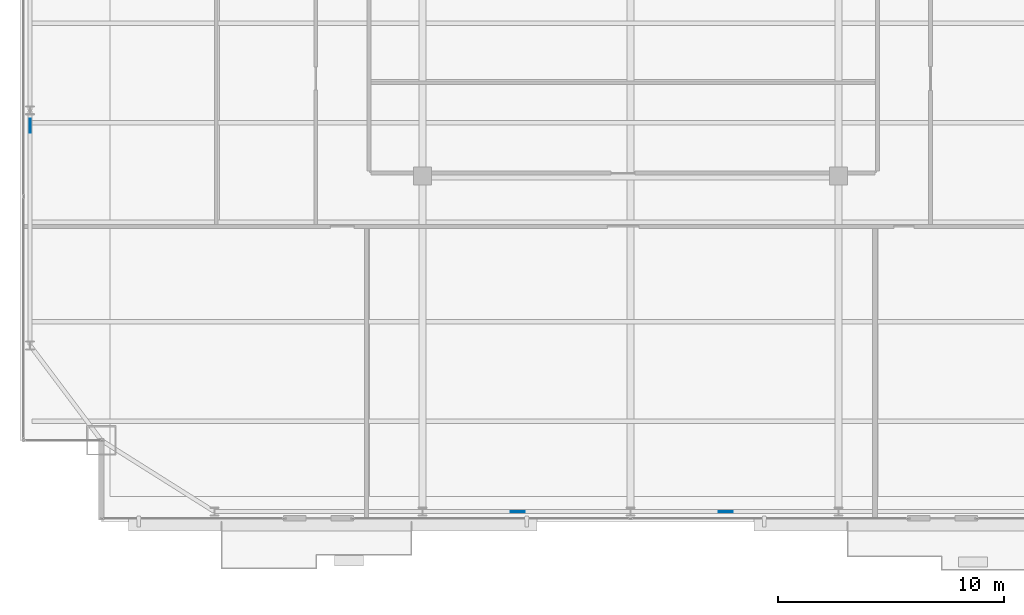
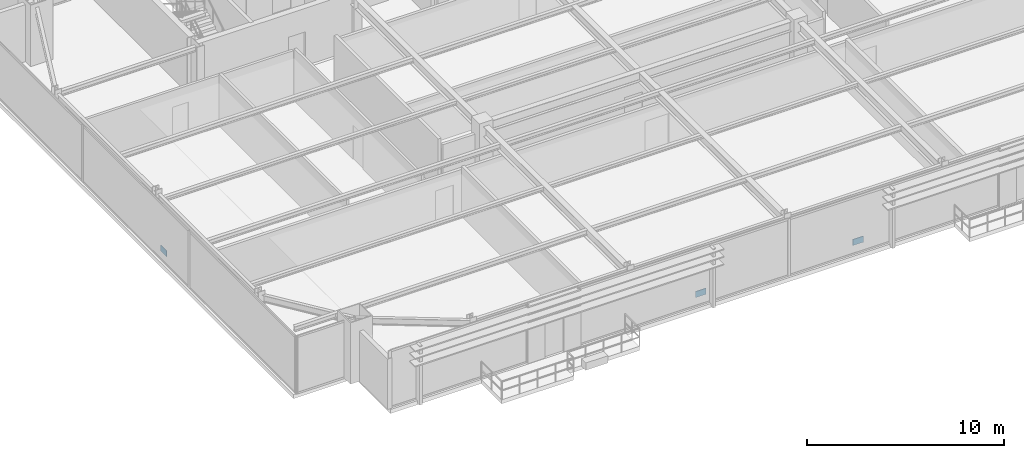
# One storey, part 25 of 31: 3 plates.
"""IFC4 building model written with IfcOpenShell, lengths in metres."""

from ifc_helpers import new_model, si_unit, direction, frame, origin, origin_2d, place, context, subcontext, project, spatial, rectangle, extrude, source, transform, mapped, material, layer, layer_set, type_object, type_shapes, element, save


model = new_model("IFC4")

# Units and contexts
model_context = context("Model", 3, precision=1e-05, world=origin(), true_north=direction((0.0, 1.0)))
body_context = subcontext(model_context, "Body", "Model", "MODEL_VIEW")
ifc_project = project(units=[si_unit("LENGTHUNIT", "METRE"), si_unit("AREAUNIT", "SQUARE_METRE"), si_unit("VOLUMEUNIT", "CUBIC_METRE"), si_unit("PLANEANGLEUNIT", "RADIAN"), si_unit("MASSUNIT", "GRAM", prefix="KILO")], contexts=[model_context])

# Site, building, storey
site_placement = place(None, origin())
site = spatial("IfcSite", under=ifc_project, at=site_placement, CompositionType="ELEMENT")
building_placement = place(site_placement, origin())
building = spatial("IfcBuilding", under=site, at=building_placement, Name="Varnel Quay Broadcast Tower", CompositionType="ELEMENT")
storey_placement = place(building_placement, frame((0.0, 0.0, 153.39990234375)))
storey = spatial("IfcBuildingStorey", under=building, at=storey_placement, Name="L37", CompositionType="ELEMENT", Elevation=153.39990234375)

# Plates
ifc_material = material(Name="Structural Steel CSA G40.21 350WT", Category="steel")
ifc_layer = layer(ifc_material, 0.031982421875, Name="Structural Steel CSA G40.21 350WT")
ifc_layer_set = layer_set([ifc_layer], Name="Structural Steel CSA G40.21 350WT")
plate_type = type_object("IfcPlateType", Name="Plate_EndCap", PredefinedType="USERDEFINED", material=ifc_layer_set)
shared_shape = source(origin(), body_context, "Body", "SweptSolid", [
    extrude(rectangle(XDim=0.6201171875, YDim=0.031982421875, at=origin_2d()), origin(), (0.0, 0.0, 1.0), 0.3798828125),
])
type_shapes(plate_type, [shared_shape])
for number, where, z_axis, x_axis, name in (
    (1, (29.010986328125, 7.64990234375, 0.315673828125), (0.0, 0.0, 1.0), (1.0, 0.0, 0.0), "Zone 3 Mega-Brace S-C1T1 Diag B2 End Connection Plate P0"),
    (2, (38.211181640625, 7.64990234375, 0.315673828125), (0.0, 0.0, 1.0), (1.0, 0.0, 0.0), "Zone 3 Mega-Brace S-C2T1 Diag B2 End Connection Plate P0"),
    (3, (7.449951171875, 24.716064453125, 0.107666015625), (0.0, 0.0, 1.0), (0.0, 1.0, 0.0), "Zone 3 Mega-Brace W-FT1 Diag B2 End Connection Plate P0"),
):
    element("IfcPlate", number, at=place(storey_placement, frame(where, z_axis=z_axis, x_axis=x_axis)), inside=storey, type_object=plate_type, Name=name, ObjectType="CAP_PLATE", PredefinedType="USERDEFINED", context=body_context, shape_type="MappedRepresentation", body=[
        mapped(shared_shape, transform((0.0, 0.0, 0.0), x_axis=(1.0, 0.0, 0.0), y_axis=(0.0, 1.0, 0.0), z_axis=(0.0, 0.0, 1.0), scale=1.0)),
    ])

save(model, "model.ifc")
